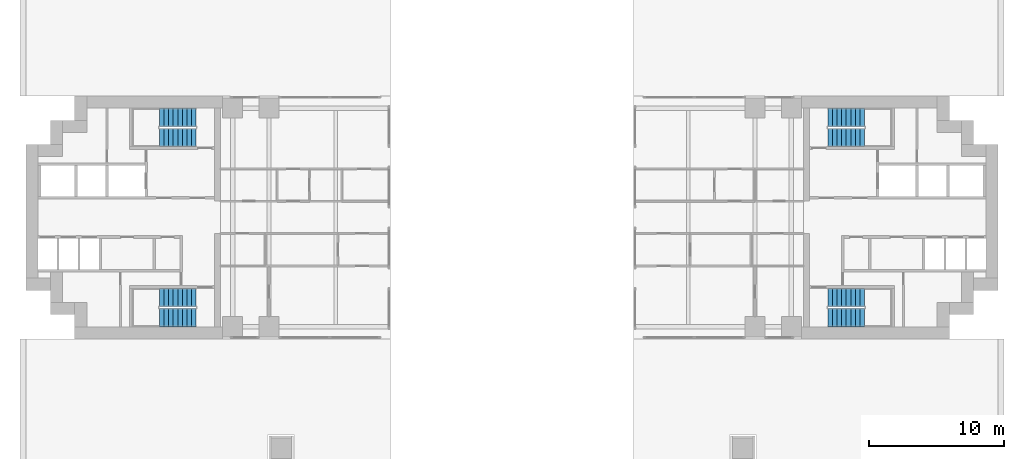
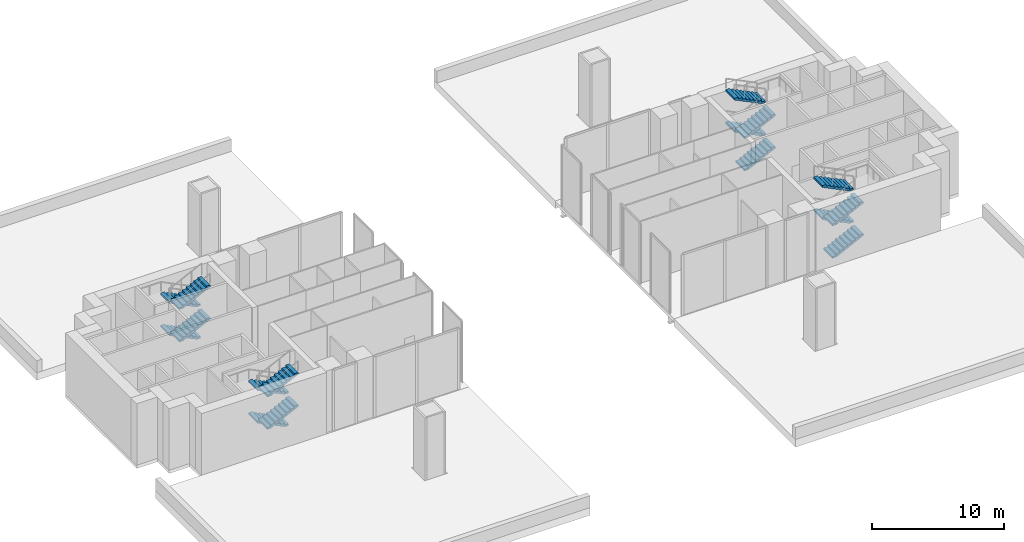
# One storey, part 10 of 13: 16 stair flights, 4 elements without a shape of their own.
"""IFC4 building model written with IfcOpenShell, lengths in metres."""

from ifc_helpers import new_model, si_unit, direction, frame, origin, place, context, subcontext, project, spatial, polyline, outline, extrude, material, type_object, element, aggregate, save


model = new_model("IFC4")

# Units and contexts
model_context = context("Model", 3, precision=1e-05, world=origin(), true_north=direction((0.0, 1.0)))
body_context = subcontext(model_context, "Body", "Model", "MODEL_VIEW")
ifc_project = project(units=[si_unit("LENGTHUNIT", "METRE"), si_unit("AREAUNIT", "SQUARE_METRE"), si_unit("VOLUMEUNIT", "CUBIC_METRE"), si_unit("PLANEANGLEUNIT", "RADIAN"), si_unit("MASSUNIT", "GRAM", prefix="KILO")], contexts=[model_context])

# Site, building, storey
site_placement = place(None, origin())
site = spatial("IfcSite", under=ifc_project, at=site_placement, CompositionType="ELEMENT")
building_placement = place(site_placement, origin())
building = spatial("IfcBuilding", under=site, at=building_placement, Name="Perihelion Cross Residences", CompositionType="ELEMENT")
storey_placement = place(building_placement, frame((0.0, 0.0, 15.0)))
storey = spatial("IfcBuildingStorey", under=building, at=storey_placement, Name="L01", CompositionType="ELEMENT", Elevation=15.0)

# Stair, stair flights
ifc_material_1 = material(Name="Concrete C40/50", Category="concrete")
stair_type = type_object("IfcStairType", Name="Exit stair, half-turn", PredefinedType="HALF_TURN_STAIR", material=ifc_material_1)
stair_1_placement = place(storey_placement, origin())
stair_1 = element("IfcStair", 1, at=stair_1_placement, inside=storey, type_object=stair_type, Name="L01 East core exit stair 1", PredefinedType="HALF_TURN_STAIR")
ifc_material_2 = material(Name="Concrete C40/50", Category="concrete")
stair_flight_type = type_object("IfcStairFlightType", Name="Exit stair flight", PredefinedType="STRAIGHT", material=ifc_material_2)
stair_flight_1_placement = place(storey_placement, frame((23.39990234375, 5.925048828125, 0.0), z_axis=(0.0, 0.0, 1.0), x_axis=(1.0, 0.0, 0.0)))
stair_flight_1 = element("IfcStairFlight", 2, at=stair_flight_1_placement, type_object=stair_flight_type, Name="ST-E1 flight 1", NumberOfRisers=9, NumberOfTreads=8, PredefinedType="STRAIGHT", RiserHeight=0.166666667, TreadLength=0.34, context=body_context, shape_type="SweptSolid", body=[
    extrude(outline(polyline([(0.0, 0.0), (0.0, 0.166748046875), (0.340087890625, 0.166748046875), (0.340087890625, 0.333251953125), (0.679931640625, 0.333251953125), (0.679931640625, 0.5), (1.02001953125, 0.5), (1.02001953125, 0.666748046875), (1.360107421875, 0.666748046875), (1.360107421875, 0.833251953125), (1.699951171875, 0.833251953125), (1.699951171875, 1.0), (2.0400390625, 1.0), (2.0400390625, 1.166748046875), (2.3798828125, 1.166748046875), (2.3798828125, 1.333251953125), (2.719970703125, 1.333251953125), (2.719970703125, 1.5), (2.719970703125, 1.16650390625), (0.340576171875, 0.0), (0.0, 0.0)])), frame((0.0, 0.675048828125, 0.0), z_axis=(0.0, -1.0, 0.0), x_axis=(1.0, 0.0, 0.0)), (0.0, 0.0, 1.0), 1.35009765625),
])
stair_flight_2_placement = place(storey_placement, frame((26.1201171875, 7.425048828125, 1.5), z_axis=(0.0, 0.0, 1.0), x_axis=(-1.0, 0.0, 0.0)))
stair_flight_2 = element("IfcStairFlight", 3, at=stair_flight_2_placement, type_object=stair_flight_type, Name="ST-E1 flight 2", NumberOfRisers=9, NumberOfTreads=8, PredefinedType="STRAIGHT", RiserHeight=0.166666667, TreadLength=0.34, context=body_context, shape_type="SweptSolid", body=[
    extrude(outline(polyline([(0.0, 0.0), (0.0, 0.166748046875), (0.340087890625, 0.166748046875), (0.340087890625, 0.333251953125), (0.679931640625, 0.333251953125), (0.679931640625, 0.5), (1.02001953125, 0.5), (1.02001953125, 0.666748046875), (1.360107421875, 0.666748046875), (1.360107421875, 0.833251953125), (1.699951171875, 0.833251953125), (1.699951171875, 1.0), (2.0400390625, 1.0), (2.0400390625, 1.166748046875), (2.3798828125, 1.166748046875), (2.3798828125, 1.333251953125), (2.719970703125, 1.333251953125), (2.719970703125, 1.5), (2.719970703125, 1.16650390625), (0.340576171875, 0.0), (0.0, 0.0)])), frame((0.0, 0.675048828125, 0.0), z_axis=(0.0, -1.0, 0.0), x_axis=(1.0, 0.0, 0.0)), (0.0, 0.0, 1.0), 1.35009765625),
])
stair_flight_3_placement = place(storey_placement, frame((23.39990234375, 5.925048828125, 3.0), z_axis=(0.0, 0.0, 1.0), x_axis=(1.0, 0.0, 0.0)))
stair_flight_3 = element("IfcStairFlight", 4, at=stair_flight_3_placement, type_object=stair_flight_type, Name="ST-E1 flight 3", NumberOfRisers=9, NumberOfTreads=8, PredefinedType="STRAIGHT", RiserHeight=0.166666667, TreadLength=0.34, context=body_context, shape_type="SweptSolid", body=[
    extrude(outline(polyline([(0.0, 0.0), (0.0, 0.166748046875), (0.340087890625, 0.166748046875), (0.340087890625, 0.333251953125), (0.679931640625, 0.333251953125), (0.679931640625, 0.5), (1.02001953125, 0.5), (1.02001953125, 0.666748046875), (1.360107421875, 0.666748046875), (1.360107421875, 0.833251953125), (1.699951171875, 0.833251953125), (1.699951171875, 1.0), (2.0400390625, 1.0), (2.0400390625, 1.166748046875), (2.3798828125, 1.166748046875), (2.3798828125, 1.333251953125), (2.719970703125, 1.333251953125), (2.719970703125, 1.5), (2.719970703125, 1.16650390625), (0.340576171875, 0.0), (0.0, 0.0)])), frame((0.0, 0.675048828125, 0.0), z_axis=(0.0, -1.0, 0.0), x_axis=(1.0, 0.0, 0.0)), (0.0, 0.0, 1.0), 1.35009765625),
])
stair_flight_4_placement = place(storey_placement, frame((26.1201171875, 7.425048828125, 4.5), z_axis=(0.0, 0.0, 1.0), x_axis=(-1.0, 0.0, 0.0)))
stair_flight_4 = element("IfcStairFlight", 5, at=stair_flight_4_placement, type_object=stair_flight_type, Name="ST-E1 flight 4", NumberOfRisers=9, NumberOfTreads=8, PredefinedType="STRAIGHT", RiserHeight=0.166666667, TreadLength=0.34, context=body_context, shape_type="SweptSolid", body=[
    extrude(outline(polyline([(0.0, 0.0), (0.0, 0.166748046875), (0.340087890625, 0.166748046875), (0.340087890625, 0.333251953125), (0.679931640625, 0.333251953125), (0.679931640625, 0.5), (1.02001953125, 0.5), (1.02001953125, 0.666748046875), (1.360107421875, 0.666748046875), (1.360107421875, 0.833251953125), (1.699951171875, 0.833251953125), (1.699951171875, 1.0), (2.0400390625, 1.0), (2.0400390625, 1.166748046875), (2.3798828125, 1.166748046875), (2.3798828125, 1.333251953125), (2.719970703125, 1.333251953125), (2.719970703125, 1.5), (2.719970703125, 1.16650390625), (0.340576171875, 0.0), (0.0, 0.0)])), frame((0.0, 0.675048828125, 0.0), z_axis=(0.0, -1.0, 0.0), x_axis=(1.0, 0.0, 0.0)), (0.0, 0.0, 1.0), 1.35009765625),
])
aggregate(stair_1, [stair_flight_1, stair_flight_2, stair_flight_3, stair_flight_4])

stair_2_placement = place(storey_placement, origin())
stair_2 = element("IfcStair", 6, at=stair_2_placement, inside=storey, type_object=stair_type, Name="L01 East core exit stair 2", PredefinedType="HALF_TURN_STAIR")
stair_flight_5_placement = place(storey_placement, frame((23.39990234375, -7.425048828125, 0.0), z_axis=(0.0, 0.0, 1.0), x_axis=(1.0, 0.0, 0.0)))
stair_flight_5 = element("IfcStairFlight", 7, at=stair_flight_5_placement, type_object=stair_flight_type, Name="ST-E2 flight 1", NumberOfRisers=9, NumberOfTreads=8, PredefinedType="STRAIGHT", RiserHeight=0.166666667, TreadLength=0.34, context=body_context, shape_type="SweptSolid", body=[
    extrude(outline(polyline([(0.0, 0.0), (0.0, 0.166748046875), (0.340087890625, 0.166748046875), (0.340087890625, 0.333251953125), (0.679931640625, 0.333251953125), (0.679931640625, 0.5), (1.02001953125, 0.5), (1.02001953125, 0.666748046875), (1.360107421875, 0.666748046875), (1.360107421875, 0.833251953125), (1.699951171875, 0.833251953125), (1.699951171875, 1.0), (2.0400390625, 1.0), (2.0400390625, 1.166748046875), (2.3798828125, 1.166748046875), (2.3798828125, 1.333251953125), (2.719970703125, 1.333251953125), (2.719970703125, 1.5), (2.719970703125, 1.16650390625), (0.340576171875, 0.0), (0.0, 0.0)])), frame((0.0, 0.675048828125, 0.0), z_axis=(0.0, -1.0, 0.0), x_axis=(1.0, 0.0, 0.0)), (0.0, 0.0, 1.0), 1.35009765625),
])
stair_flight_6_placement = place(storey_placement, frame((26.1201171875, -5.925048828125, 1.5), z_axis=(0.0, 0.0, 1.0), x_axis=(-1.0, 0.0, 0.0)))
stair_flight_6 = element("IfcStairFlight", 8, at=stair_flight_6_placement, type_object=stair_flight_type, Name="ST-E2 flight 2", NumberOfRisers=9, NumberOfTreads=8, PredefinedType="STRAIGHT", RiserHeight=0.166666667, TreadLength=0.34, context=body_context, shape_type="SweptSolid", body=[
    extrude(outline(polyline([(0.0, 0.0), (0.0, 0.166748046875), (0.340087890625, 0.166748046875), (0.340087890625, 0.333251953125), (0.679931640625, 0.333251953125), (0.679931640625, 0.5), (1.02001953125, 0.5), (1.02001953125, 0.666748046875), (1.360107421875, 0.666748046875), (1.360107421875, 0.833251953125), (1.699951171875, 0.833251953125), (1.699951171875, 1.0), (2.0400390625, 1.0), (2.0400390625, 1.166748046875), (2.3798828125, 1.166748046875), (2.3798828125, 1.333251953125), (2.719970703125, 1.333251953125), (2.719970703125, 1.5), (2.719970703125, 1.16650390625), (0.340576171875, 0.0), (0.0, 0.0)])), frame((0.0, 0.675048828125, 0.0), z_axis=(0.0, -1.0, 0.0), x_axis=(1.0, 0.0, 0.0)), (0.0, 0.0, 1.0), 1.35009765625),
])
stair_flight_7_placement = place(storey_placement, frame((23.39990234375, -7.425048828125, 3.0), z_axis=(0.0, 0.0, 1.0), x_axis=(1.0, 0.0, 0.0)))
stair_flight_7 = element("IfcStairFlight", 9, at=stair_flight_7_placement, type_object=stair_flight_type, Name="ST-E2 flight 3", NumberOfRisers=9, NumberOfTreads=8, PredefinedType="STRAIGHT", RiserHeight=0.166666667, TreadLength=0.34, context=body_context, shape_type="SweptSolid", body=[
    extrude(outline(polyline([(0.0, 0.0), (0.0, 0.166748046875), (0.340087890625, 0.166748046875), (0.340087890625, 0.333251953125), (0.679931640625, 0.333251953125), (0.679931640625, 0.5), (1.02001953125, 0.5), (1.02001953125, 0.666748046875), (1.360107421875, 0.666748046875), (1.360107421875, 0.833251953125), (1.699951171875, 0.833251953125), (1.699951171875, 1.0), (2.0400390625, 1.0), (2.0400390625, 1.166748046875), (2.3798828125, 1.166748046875), (2.3798828125, 1.333251953125), (2.719970703125, 1.333251953125), (2.719970703125, 1.5), (2.719970703125, 1.16650390625), (0.340576171875, 0.0), (0.0, 0.0)])), frame((0.0, 0.675048828125, 0.0), z_axis=(0.0, -1.0, 0.0), x_axis=(1.0, 0.0, 0.0)), (0.0, 0.0, 1.0), 1.35009765625),
])
stair_flight_8_placement = place(storey_placement, frame((26.1201171875, -5.925048828125, 4.5), z_axis=(0.0, 0.0, 1.0), x_axis=(-1.0, 0.0, 0.0)))
stair_flight_8 = element("IfcStairFlight", 10, at=stair_flight_8_placement, type_object=stair_flight_type, Name="ST-E2 flight 4", NumberOfRisers=9, NumberOfTreads=8, PredefinedType="STRAIGHT", RiserHeight=0.166666667, TreadLength=0.34, context=body_context, shape_type="SweptSolid", body=[
    extrude(outline(polyline([(0.0, 0.0), (0.0, 0.166748046875), (0.340087890625, 0.166748046875), (0.340087890625, 0.333251953125), (0.679931640625, 0.333251953125), (0.679931640625, 0.5), (1.02001953125, 0.5), (1.02001953125, 0.666748046875), (1.360107421875, 0.666748046875), (1.360107421875, 0.833251953125), (1.699951171875, 0.833251953125), (1.699951171875, 1.0), (2.0400390625, 1.0), (2.0400390625, 1.166748046875), (2.3798828125, 1.166748046875), (2.3798828125, 1.333251953125), (2.719970703125, 1.333251953125), (2.719970703125, 1.5), (2.719970703125, 1.16650390625), (0.340576171875, 0.0), (0.0, 0.0)])), frame((0.0, 0.675048828125, 0.0), z_axis=(0.0, -1.0, 0.0), x_axis=(1.0, 0.0, 0.0)), (0.0, 0.0, 1.0), 1.35009765625),
])
aggregate(stair_2, [stair_flight_5, stair_flight_6, stair_flight_7, stair_flight_8])

stair_3_placement = place(storey_placement, origin())
stair_3 = element("IfcStair", 11, at=stair_3_placement, inside=storey, type_object=stair_type, Name="L01 West core exit stair 1", PredefinedType="HALF_TURN_STAIR")
stair_flight_9_placement = place(storey_placement, frame((-23.39990234375, 7.425048828125, 0.0), z_axis=(0.0, 0.0, 1.0), x_axis=(-1.0, 0.0, 0.0)))
stair_flight_9 = element("IfcStairFlight", 12, at=stair_flight_9_placement, type_object=stair_flight_type, Name="ST-W1 flight 1", NumberOfRisers=9, NumberOfTreads=8, PredefinedType="STRAIGHT", RiserHeight=0.166666667, TreadLength=0.34, context=body_context, shape_type="SweptSolid", body=[
    extrude(outline(polyline([(0.0, 0.0), (0.0, 0.166748046875), (0.340087890625, 0.166748046875), (0.340087890625, 0.333251953125), (0.679931640625, 0.333251953125), (0.679931640625, 0.5), (1.02001953125, 0.5), (1.02001953125, 0.666748046875), (1.360107421875, 0.666748046875), (1.360107421875, 0.833251953125), (1.699951171875, 0.833251953125), (1.699951171875, 1.0), (2.0400390625, 1.0), (2.0400390625, 1.166748046875), (2.3798828125, 1.166748046875), (2.3798828125, 1.333251953125), (2.719970703125, 1.333251953125), (2.719970703125, 1.5), (2.719970703125, 1.16650390625), (0.340576171875, 0.0), (0.0, 0.0)])), frame((0.0, 0.675048828125, 0.0), z_axis=(0.0, -1.0, 0.0), x_axis=(1.0, 0.0, 0.0)), (0.0, 0.0, 1.0), 1.35009765625),
])
stair_flight_10_placement = place(storey_placement, frame((-26.1201171875, 5.925048828125, 1.5), z_axis=(0.0, 0.0, 1.0), x_axis=(1.0, 0.0, 0.0)))
stair_flight_10 = element("IfcStairFlight", 13, at=stair_flight_10_placement, type_object=stair_flight_type, Name="ST-W1 flight 2", NumberOfRisers=9, NumberOfTreads=8, PredefinedType="STRAIGHT", RiserHeight=0.166666667, TreadLength=0.34, context=body_context, shape_type="SweptSolid", body=[
    extrude(outline(polyline([(0.0, 0.0), (0.0, 0.166748046875), (0.340087890625, 0.166748046875), (0.340087890625, 0.333251953125), (0.679931640625, 0.333251953125), (0.679931640625, 0.5), (1.02001953125, 0.5), (1.02001953125, 0.666748046875), (1.360107421875, 0.666748046875), (1.360107421875, 0.833251953125), (1.699951171875, 0.833251953125), (1.699951171875, 1.0), (2.0400390625, 1.0), (2.0400390625, 1.166748046875), (2.3798828125, 1.166748046875), (2.3798828125, 1.333251953125), (2.719970703125, 1.333251953125), (2.719970703125, 1.5), (2.719970703125, 1.16650390625), (0.340576171875, 0.0), (0.0, 0.0)])), frame((0.0, 0.675048828125, 0.0), z_axis=(0.0, -1.0, 0.0), x_axis=(1.0, 0.0, 0.0)), (0.0, 0.0, 1.0), 1.35009765625),
])
stair_flight_11_placement = place(storey_placement, frame((-23.39990234375, 7.425048828125, 3.0), z_axis=(0.0, 0.0, 1.0), x_axis=(-1.0, 0.0, 0.0)))
stair_flight_11 = element("IfcStairFlight", 14, at=stair_flight_11_placement, type_object=stair_flight_type, Name="ST-W1 flight 3", NumberOfRisers=9, NumberOfTreads=8, PredefinedType="STRAIGHT", RiserHeight=0.166666667, TreadLength=0.34, context=body_context, shape_type="SweptSolid", body=[
    extrude(outline(polyline([(0.0, 0.0), (0.0, 0.166748046875), (0.340087890625, 0.166748046875), (0.340087890625, 0.333251953125), (0.679931640625, 0.333251953125), (0.679931640625, 0.5), (1.02001953125, 0.5), (1.02001953125, 0.666748046875), (1.360107421875, 0.666748046875), (1.360107421875, 0.833251953125), (1.699951171875, 0.833251953125), (1.699951171875, 1.0), (2.0400390625, 1.0), (2.0400390625, 1.166748046875), (2.3798828125, 1.166748046875), (2.3798828125, 1.333251953125), (2.719970703125, 1.333251953125), (2.719970703125, 1.5), (2.719970703125, 1.16650390625), (0.340576171875, 0.0), (0.0, 0.0)])), frame((0.0, 0.675048828125, 0.0), z_axis=(0.0, -1.0, 0.0), x_axis=(1.0, 0.0, 0.0)), (0.0, 0.0, 1.0), 1.35009765625),
])
stair_flight_12_placement = place(storey_placement, frame((-26.1201171875, 5.925048828125, 4.5), z_axis=(0.0, 0.0, 1.0), x_axis=(1.0, 0.0, 0.0)))
stair_flight_12 = element("IfcStairFlight", 15, at=stair_flight_12_placement, type_object=stair_flight_type, Name="ST-W1 flight 4", NumberOfRisers=9, NumberOfTreads=8, PredefinedType="STRAIGHT", RiserHeight=0.166666667, TreadLength=0.34, context=body_context, shape_type="SweptSolid", body=[
    extrude(outline(polyline([(0.0, 0.0), (0.0, 0.166748046875), (0.340087890625, 0.166748046875), (0.340087890625, 0.333251953125), (0.679931640625, 0.333251953125), (0.679931640625, 0.5), (1.02001953125, 0.5), (1.02001953125, 0.666748046875), (1.360107421875, 0.666748046875), (1.360107421875, 0.833251953125), (1.699951171875, 0.833251953125), (1.699951171875, 1.0), (2.0400390625, 1.0), (2.0400390625, 1.166748046875), (2.3798828125, 1.166748046875), (2.3798828125, 1.333251953125), (2.719970703125, 1.333251953125), (2.719970703125, 1.5), (2.719970703125, 1.16650390625), (0.340576171875, 0.0), (0.0, 0.0)])), frame((0.0, 0.675048828125, 0.0), z_axis=(0.0, -1.0, 0.0), x_axis=(1.0, 0.0, 0.0)), (0.0, 0.0, 1.0), 1.35009765625),
])
aggregate(stair_3, [stair_flight_9, stair_flight_10, stair_flight_11, stair_flight_12])

stair_4_placement = place(storey_placement, origin())
stair_4 = element("IfcStair", 16, at=stair_4_placement, inside=storey, type_object=stair_type, Name="L01 West core exit stair 2", PredefinedType="HALF_TURN_STAIR")
stair_flight_13_placement = place(storey_placement, frame((-23.39990234375, -5.925048828125, 0.0), z_axis=(0.0, 0.0, 1.0), x_axis=(-1.0, 0.0, 0.0)))
stair_flight_13 = element("IfcStairFlight", 17, at=stair_flight_13_placement, type_object=stair_flight_type, Name="ST-W2 flight 1", NumberOfRisers=9, NumberOfTreads=8, PredefinedType="STRAIGHT", RiserHeight=0.166666667, TreadLength=0.34, context=body_context, shape_type="SweptSolid", body=[
    extrude(outline(polyline([(0.0, 0.0), (0.0, 0.166748046875), (0.340087890625, 0.166748046875), (0.340087890625, 0.333251953125), (0.679931640625, 0.333251953125), (0.679931640625, 0.5), (1.02001953125, 0.5), (1.02001953125, 0.666748046875), (1.360107421875, 0.666748046875), (1.360107421875, 0.833251953125), (1.699951171875, 0.833251953125), (1.699951171875, 1.0), (2.0400390625, 1.0), (2.0400390625, 1.166748046875), (2.3798828125, 1.166748046875), (2.3798828125, 1.333251953125), (2.719970703125, 1.333251953125), (2.719970703125, 1.5), (2.719970703125, 1.16650390625), (0.340576171875, 0.0), (0.0, 0.0)])), frame((0.0, 0.675048828125, 0.0), z_axis=(0.0, -1.0, 0.0), x_axis=(1.0, 0.0, 0.0)), (0.0, 0.0, 1.0), 1.35009765625),
])
stair_flight_14_placement = place(storey_placement, frame((-26.1201171875, -7.425048828125, 1.5), z_axis=(0.0, 0.0, 1.0), x_axis=(1.0, 0.0, 0.0)))
stair_flight_14 = element("IfcStairFlight", 18, at=stair_flight_14_placement, type_object=stair_flight_type, Name="ST-W2 flight 2", NumberOfRisers=9, NumberOfTreads=8, PredefinedType="STRAIGHT", RiserHeight=0.166666667, TreadLength=0.34, context=body_context, shape_type="SweptSolid", body=[
    extrude(outline(polyline([(0.0, 0.0), (0.0, 0.166748046875), (0.340087890625, 0.166748046875), (0.340087890625, 0.333251953125), (0.679931640625, 0.333251953125), (0.679931640625, 0.5), (1.02001953125, 0.5), (1.02001953125, 0.666748046875), (1.360107421875, 0.666748046875), (1.360107421875, 0.833251953125), (1.699951171875, 0.833251953125), (1.699951171875, 1.0), (2.0400390625, 1.0), (2.0400390625, 1.166748046875), (2.3798828125, 1.166748046875), (2.3798828125, 1.333251953125), (2.719970703125, 1.333251953125), (2.719970703125, 1.5), (2.719970703125, 1.16650390625), (0.340576171875, 0.0), (0.0, 0.0)])), frame((0.0, 0.675048828125, 0.0), z_axis=(0.0, -1.0, 0.0), x_axis=(1.0, 0.0, 0.0)), (0.0, 0.0, 1.0), 1.35009765625),
])
stair_flight_15_placement = place(storey_placement, frame((-23.39990234375, -5.925048828125, 3.0), z_axis=(0.0, 0.0, 1.0), x_axis=(-1.0, 0.0, 0.0)))
stair_flight_15 = element("IfcStairFlight", 19, at=stair_flight_15_placement, type_object=stair_flight_type, Name="ST-W2 flight 3", NumberOfRisers=9, NumberOfTreads=8, PredefinedType="STRAIGHT", RiserHeight=0.166666667, TreadLength=0.34, context=body_context, shape_type="SweptSolid", body=[
    extrude(outline(polyline([(0.0, 0.0), (0.0, 0.166748046875), (0.340087890625, 0.166748046875), (0.340087890625, 0.333251953125), (0.679931640625, 0.333251953125), (0.679931640625, 0.5), (1.02001953125, 0.5), (1.02001953125, 0.666748046875), (1.360107421875, 0.666748046875), (1.360107421875, 0.833251953125), (1.699951171875, 0.833251953125), (1.699951171875, 1.0), (2.0400390625, 1.0), (2.0400390625, 1.166748046875), (2.3798828125, 1.166748046875), (2.3798828125, 1.333251953125), (2.719970703125, 1.333251953125), (2.719970703125, 1.5), (2.719970703125, 1.16650390625), (0.340576171875, 0.0), (0.0, 0.0)])), frame((0.0, 0.675048828125, 0.0), z_axis=(0.0, -1.0, 0.0), x_axis=(1.0, 0.0, 0.0)), (0.0, 0.0, 1.0), 1.35009765625),
])
stair_flight_16_placement = place(storey_placement, frame((-26.1201171875, -7.425048828125, 4.5), z_axis=(0.0, 0.0, 1.0), x_axis=(1.0, 0.0, 0.0)))
stair_flight_16 = element("IfcStairFlight", 20, at=stair_flight_16_placement, type_object=stair_flight_type, Name="ST-W2 flight 4", NumberOfRisers=9, NumberOfTreads=8, PredefinedType="STRAIGHT", RiserHeight=0.166666667, TreadLength=0.34, context=body_context, shape_type="SweptSolid", body=[
    extrude(outline(polyline([(0.0, 0.0), (0.0, 0.166748046875), (0.340087890625, 0.166748046875), (0.340087890625, 0.333251953125), (0.679931640625, 0.333251953125), (0.679931640625, 0.5), (1.02001953125, 0.5), (1.02001953125, 0.666748046875), (1.360107421875, 0.666748046875), (1.360107421875, 0.833251953125), (1.699951171875, 0.833251953125), (1.699951171875, 1.0), (2.0400390625, 1.0), (2.0400390625, 1.166748046875), (2.3798828125, 1.166748046875), (2.3798828125, 1.333251953125), (2.719970703125, 1.333251953125), (2.719970703125, 1.5), (2.719970703125, 1.16650390625), (0.340576171875, 0.0), (0.0, 0.0)])), frame((0.0, 0.675048828125, 0.0), z_axis=(0.0, -1.0, 0.0), x_axis=(1.0, 0.0, 0.0)), (0.0, 0.0, 1.0), 1.35009765625),
])
aggregate(stair_4, [stair_flight_13, stair_flight_14, stair_flight_15, stair_flight_16])

save(model, "model.ifc")
